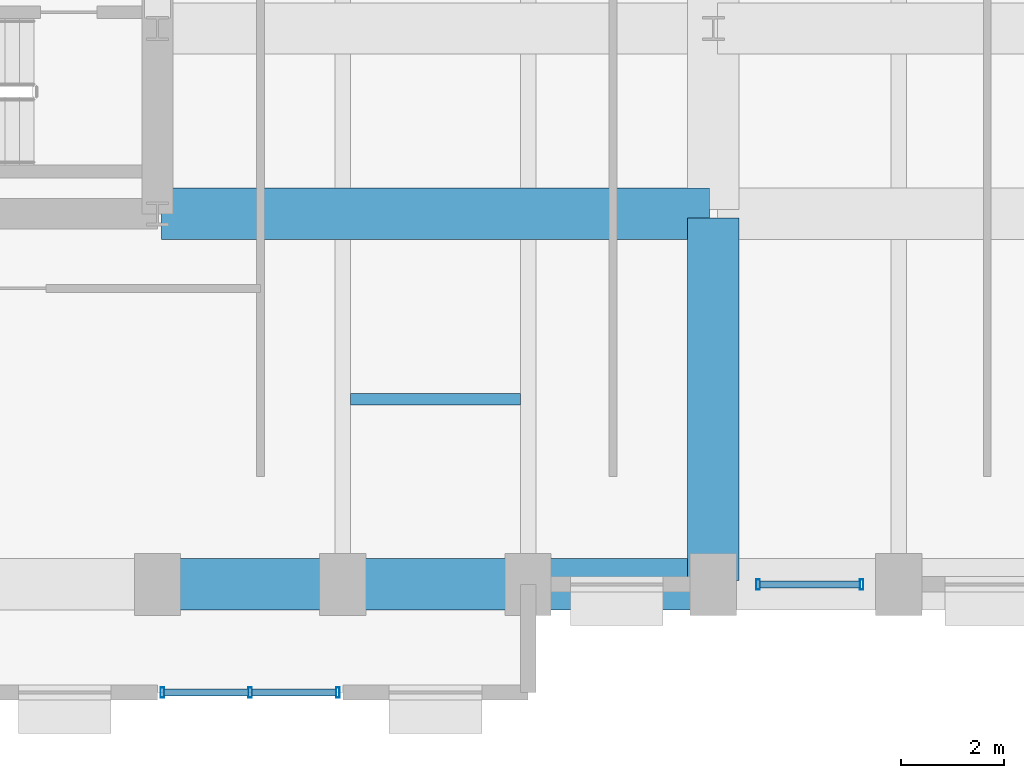
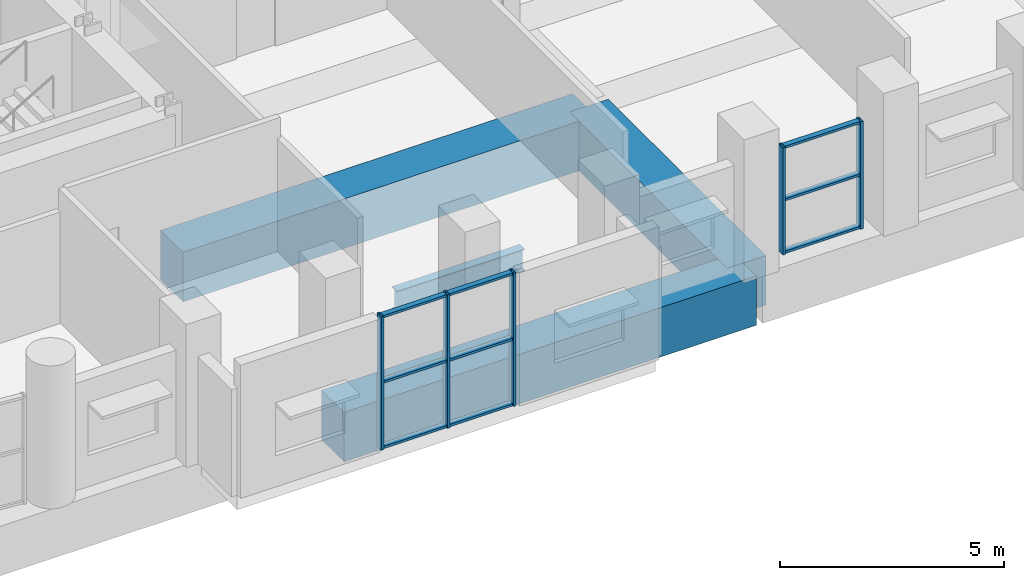
# One storey, part 11 of 39: 14 members, 4 beams, 2 elements without a shape of their own.
"""IFC4 building model written with IfcOpenShell, lengths in metres."""

from ifc_helpers import new_model, si_unit, direction, frame, origin, origin_2d, place, context, subcontext, project, spatial, rectangle, hollow_rectangle, i_section, extrude, material, layer, layer_set, material_profile, profile_set, type_object, element, aggregate, save


model = new_model("IFC4")

# Units and contexts
model_context = context("Model", 3, precision=1e-05, world=origin(), true_north=direction((0.0, 1.0)))
body_context = subcontext(model_context, "Body", "Model", "MODEL_VIEW")
ifc_project = project(units=[si_unit("LENGTHUNIT", "METRE"), si_unit("AREAUNIT", "SQUARE_METRE"), si_unit("VOLUMEUNIT", "CUBIC_METRE"), si_unit("PLANEANGLEUNIT", "RADIAN"), si_unit("MASSUNIT", "GRAM", prefix="KILO")], contexts=[model_context])

# Site, building, storey
site_placement = place(None, origin())
site = spatial("IfcSite", under=ifc_project, at=site_placement, CompositionType="ELEMENT")
building_placement = place(site_placement, origin())
building = spatial("IfcBuilding", under=site, at=building_placement, Name="Solnavia Interchange Tower", CompositionType="ELEMENT")
storey_placement = place(building_placement, frame((0.0, 0.0, 24.0)))
storey = spatial("IfcBuildingStorey", under=building, at=storey_placement, Name="L05", CompositionType="ELEMENT", Elevation=24.0)

# Beams
ifc_material_1 = material(Name="Steel S355", Category="steel")
ifc_material_profile_1 = material_profile(ifc_material_1, i_section(OverallWidth=0.219970703125, OverallDepth=0.60009765625, WebThickness=0.011962890625, FlangeThickness=0.01904296875, FilletRadius=0.02392578125, at=origin_2d()), Name="IPE 600")
ifc_profile_set_1 = profile_set([ifc_material_profile_1], Name="Steel S355")
beam_type_1 = type_object("IfcBeamType", Name="Beam-Joist-IPE600", PredefinedType="JOIST", material=ifc_profile_set_1)
beam_1_placement = place(storey_placement, frame((36.14990234375, 7.199951171875, -0.699951171875), z_axis=(1.0, 0.0, 0.0), x_axis=(0.0, 1.0, 0.0)))
element("IfcBeam", 1, at=beam_1_placement, inside=storey, type_object=beam_type_1, Name="JST-L05-E01 East wing secondary joist", PredefinedType="JOIST", context=body_context, shape_type="SweptSolid", body=[
    extrude(i_section(OverallWidth=0.219970703125, OverallDepth=0.60009765625, WebThickness=0.011962890625, FlangeThickness=0.01904296875, FilletRadius=0.02392578125, at=origin_2d()), origin(), (0.0, 0.0, 1.0), 3.300048828125),
])
ifc_material_2 = material(Name="Concrete C60/75", Category="concrete")
ifc_material_profile_2 = material_profile(ifc_material_2, rectangle(XDim=1.0, YDim=1.35009765625, at=origin_2d()), Name="RC 1000x1350")
ifc_profile_set_2 = profile_set([ifc_material_profile_2], Name="Concrete C60/75")
beam_type_2 = type_object("IfcBeamType", Name="Beam-Transfer-RC1000x1350", PredefinedType="BEAM", material=ifc_profile_set_2)
for number, where, z_axis, x_axis, name in (
    (2, (32.47998046875, 3.60009765625, -0.675048828125), (1.0, 0.0, 0.0), (0.0, 1.0, 0.0), "TRB-L05-04 South primary transfer girder"),
    (3, (32.47998046875, 10.800048828125, -0.675048828125), (1.0, 0.0, 0.0), (0.0, 1.0, 0.0), "TRB-L05-09 East-south primary transfer girder"),
):
    element("IfcBeam", number, at=place(storey_placement, frame(where, z_axis=z_axis, x_axis=x_axis)), inside=storey, type_object=beam_type_2, Name=name, PredefinedType="BEAM", context=body_context, shape_type="SweptSolid", body=[
        extrude(rectangle(XDim=1.0, YDim=1.35009765625, at=origin_2d()), origin(), (0.0, 0.0, 1.0), 10.64013671875),
    ])
beam_2_placement = place(storey_placement, frame((43.199951171875, 3.679931640625, -0.675048828125), z_axis=(0.0, 1.0, 0.0), x_axis=(-1.0, 0.0, 0.0)))
element("IfcBeam", 4, at=beam_2_placement, inside=storey, type_object=beam_type_2, Name="TRB-L05-46 East N-S primary transfer girder", PredefinedType="BEAM", context=body_context, shape_type="SweptSolid", body=[
    extrude(rectangle(XDim=1.0, YDim=1.35009765625, at=origin_2d()), origin(), (0.0, 0.0, 1.0), 7.0400390625),
])

# Curtain wall, members
ifc_material_3 = material(Name="Aluminium Alloy 6063-T6", Category="aluminium")
ifc_layer = layer(ifc_material_3, 0.219970703125)
ifc_layer_set = layer_set([ifc_layer], Name="Aluminium Alloy 6063-T6")
curtain_wall_type = type_object("IfcCurtainWallType", Name="CurtainWall-Tower-CTW3", PredefinedType="NOTDEFINED", material=ifc_layer_set)
curtain_wall_1_placement = place(storey_placement, origin())
curtain_wall_1 = element("IfcCurtainWall", 5, at=curtain_wall_1_placement, inside=storey, type_object=curtain_wall_type, Name="CTW-L05-S04 CTW-3 curtain wall", PredefinedType="NOTDEFINED")
ifc_material_profile_3 = material_profile(ifc_material_3, hollow_rectangle(XDim=0.070068359375, YDim=0.199951171875, WallThickness=0.0048828125, at=origin_2d()), Name="ALU 200x70x5")
ifc_profile_set_3 = profile_set([ifc_material_profile_3], Name="Aluminium Alloy 6063-T6")
member_type_1 = type_object("IfcMemberType", Name="CW-Mullion-CWM-3", PredefinedType="MULLION", material=ifc_profile_set_3)
member_1_placement = place(storey_placement, frame((32.4951171875, 1.5, 0.0), z_axis=(0.0, 0.0, 1.0), x_axis=(1.0, 0.0, 0.0)))
member_1 = element("IfcMember", 6, at=member_1_placement, type_object=member_type_1, Name="CTW-3 mullion 1", PredefinedType="MULLION", context=body_context, shape_type="SweptSolid", body=[
    extrude(hollow_rectangle(XDim=0.070068359375, YDim=0.199951171875, WallThickness=0.0048828125, at=origin_2d()), origin(), (0.0, 0.0, 1.0), 3.635009765625),
])
member_2_placement = place(storey_placement, frame((34.199951171875, 1.5, 0.0), z_axis=(0.0, 0.0, 1.0), x_axis=(1.0, 0.0, 0.0)))
member_2 = element("IfcMember", 7, at=member_2_placement, type_object=member_type_1, Name="CTW-3 mullion 2", PredefinedType="MULLION", context=body_context, shape_type="SweptSolid", body=[
    extrude(hollow_rectangle(XDim=0.070068359375, YDim=0.199951171875, WallThickness=0.0048828125, at=origin_2d()), origin(), (0.0, 0.0, 1.0), 3.635009765625),
])
member_3_placement = place(storey_placement, frame((35.905029296875, 1.5, 0.0), z_axis=(0.0, 0.0, 1.0), x_axis=(1.0, 0.0, 0.0)))
member_3 = element("IfcMember", 8, at=member_3_placement, type_object=member_type_1, Name="CTW-3 mullion 3", PredefinedType="MULLION", context=body_context, shape_type="SweptSolid", body=[
    extrude(hollow_rectangle(XDim=0.070068359375, YDim=0.199951171875, WallThickness=0.0048828125, at=origin_2d()), origin(), (0.0, 0.0, 1.0), 3.635009765625),
])

curtain_wall_2_placement = place(storey_placement, origin())
curtain_wall_2 = element("IfcCurtainWall", 9, at=curtain_wall_2_placement, inside=storey, type_object=curtain_wall_type, Name="CTW-L05-S08 CTW-3 curtain wall", PredefinedType="NOTDEFINED")
member_4_placement = place(storey_placement, frame((44.070068359375, 3.60009765625, 0.0), z_axis=(0.0, 0.0, 1.0), x_axis=(1.0, 0.0, 0.0)))
member_4 = element("IfcMember", 10, at=member_4_placement, type_object=member_type_1, Name="CTW-3 mullion 1", PredefinedType="MULLION", context=body_context, shape_type="SweptSolid", body=[
    extrude(hollow_rectangle(XDim=0.070068359375, YDim=0.199951171875, WallThickness=0.0048828125, at=origin_2d()), origin(), (0.0, 0.0, 1.0), 2.929931640625),
])
member_5_placement = place(storey_placement, frame((46.080078125, 3.60009765625, 0.0), z_axis=(0.0, 0.0, 1.0), x_axis=(1.0, 0.0, 0.0)))
member_5 = element("IfcMember", 11, at=member_5_placement, type_object=member_type_1, Name="CTW-3 mullion 2", PredefinedType="MULLION", context=body_context, shape_type="SweptSolid", body=[
    extrude(hollow_rectangle(XDim=0.070068359375, YDim=0.199951171875, WallThickness=0.0048828125, at=origin_2d()), origin(), (0.0, 0.0, 1.0), 2.929931640625),
])

# Member
ifc_material_profile_4 = material_profile(ifc_material_3, hollow_rectangle(XDim=0.06494140625, YDim=0.139892578125, WallThickness=0.00390625, at=origin_2d()), Name="ALU 140x65x4")
ifc_profile_set_4 = profile_set([ifc_material_profile_4], Name="Aluminium Alloy 6063-T6")
member_type_2 = type_object("IfcMemberType", Name="CW-Transom-CWT-3", PredefinedType="USERDEFINED", material=ifc_profile_set_4)
member_6_placement = place(storey_placement, frame((32.530029296875, 1.5, 0.032470703125), z_axis=(1.0, 0.0, 0.0), x_axis=(0.0, 0.0, 1.0)))
member_6 = element("IfcMember", 12, at=member_6_placement, type_object=member_type_2, Name="CTW-3 transom 1.1", ObjectType="TRANSOM", PredefinedType="USERDEFINED", context=body_context, shape_type="SweptSolid", body=[
    extrude(hollow_rectangle(XDim=0.06494140625, YDim=0.139892578125, WallThickness=0.00390625, at=origin_2d()), origin(), (0.0, 0.0, 1.0), 1.635009765625),
])

member_7_placement = place(storey_placement, frame((32.530029296875, 1.5, 1.818115234375), z_axis=(1.0, 0.0, 0.0), x_axis=(0.0, 0.0, 1.0)))
member_7 = element("IfcMember", 13, at=member_7_placement, type_object=member_type_2, Name="CTW-3 transom 1.2", ObjectType="TRANSOM", PredefinedType="USERDEFINED", context=body_context, shape_type="SweptSolid", body=[
    extrude(hollow_rectangle(XDim=0.06494140625, YDim=0.139892578125, WallThickness=0.00390625, at=origin_2d()), origin(), (0.0, 0.0, 1.0), 1.635009765625),
])

member_8_placement = place(storey_placement, frame((32.530029296875, 1.5, 3.6025390625), z_axis=(1.0, 0.0, 0.0), x_axis=(0.0, 0.0, 1.0)))
member_8 = element("IfcMember", 14, at=member_8_placement, type_object=member_type_2, Name="CTW-3 transom 1.3", ObjectType="TRANSOM", PredefinedType="USERDEFINED", context=body_context, shape_type="SweptSolid", body=[
    extrude(hollow_rectangle(XDim=0.06494140625, YDim=0.139892578125, WallThickness=0.00390625, at=origin_2d()), origin(), (0.0, 0.0, 1.0), 1.635009765625),
])

member_9_placement = place(storey_placement, frame((34.235107421875, 1.5, 0.032470703125), z_axis=(1.0, 0.0, 0.0), x_axis=(0.0, 0.0, 1.0)))
member_9 = element("IfcMember", 15, at=member_9_placement, type_object=member_type_2, Name="CTW-3 transom 2.1", ObjectType="TRANSOM", PredefinedType="USERDEFINED", context=body_context, shape_type="SweptSolid", body=[
    extrude(hollow_rectangle(XDim=0.06494140625, YDim=0.139892578125, WallThickness=0.00390625, at=origin_2d()), origin(), (0.0, 0.0, 1.0), 1.635009765625),
])

member_10_placement = place(storey_placement, frame((34.235107421875, 1.5, 1.818115234375), z_axis=(1.0, 0.0, 0.0), x_axis=(0.0, 0.0, 1.0)))
member_10 = element("IfcMember", 16, at=member_10_placement, type_object=member_type_2, Name="CTW-3 transom 2.2", ObjectType="TRANSOM", PredefinedType="USERDEFINED", context=body_context, shape_type="SweptSolid", body=[
    extrude(hollow_rectangle(XDim=0.06494140625, YDim=0.139892578125, WallThickness=0.00390625, at=origin_2d()), origin(), (0.0, 0.0, 1.0), 1.635009765625),
])

member_11_placement = place(storey_placement, frame((34.235107421875, 1.5, 3.6025390625), z_axis=(1.0, 0.0, 0.0), x_axis=(0.0, 0.0, 1.0)))
member_11 = element("IfcMember", 17, at=member_11_placement, type_object=member_type_2, Name="CTW-3 transom 2.3", ObjectType="TRANSOM", PredefinedType="USERDEFINED", context=body_context, shape_type="SweptSolid", body=[
    extrude(hollow_rectangle(XDim=0.06494140625, YDim=0.139892578125, WallThickness=0.00390625, at=origin_2d()), origin(), (0.0, 0.0, 1.0), 1.635009765625),
])

aggregate(curtain_wall_1, [member_1, member_2, member_3, member_6, member_7, member_8, member_9, member_10, member_11])

member_12_placement = place(storey_placement, frame((44.10498046875, 3.60009765625, 0.032470703125), z_axis=(1.0, 0.0, 0.0), x_axis=(0.0, 0.0, 1.0)))
member_12 = element("IfcMember", 18, at=member_12_placement, type_object=member_type_2, Name="CTW-3 transom 1.1", ObjectType="TRANSOM", PredefinedType="USERDEFINED", context=body_context, shape_type="SweptSolid", body=[
    extrude(hollow_rectangle(XDim=0.06494140625, YDim=0.139892578125, WallThickness=0.00390625, at=origin_2d()), origin(), (0.0, 0.0, 1.0), 1.93994140625),
])

member_13_placement = place(storey_placement, frame((44.10498046875, 3.60009765625, 1.465087890625), z_axis=(1.0, 0.0, 0.0), x_axis=(0.0, 0.0, 1.0)))
member_13 = element("IfcMember", 19, at=member_13_placement, type_object=member_type_2, Name="CTW-3 transom 1.2", ObjectType="TRANSOM", PredefinedType="USERDEFINED", context=body_context, shape_type="SweptSolid", body=[
    extrude(hollow_rectangle(XDim=0.06494140625, YDim=0.139892578125, WallThickness=0.00390625, at=origin_2d()), origin(), (0.0, 0.0, 1.0), 1.93994140625),
])

member_14_placement = place(storey_placement, frame((44.10498046875, 3.60009765625, 2.8974609375), z_axis=(1.0, 0.0, 0.0), x_axis=(0.0, 0.0, 1.0)))
member_14 = element("IfcMember", 20, at=member_14_placement, type_object=member_type_2, Name="CTW-3 transom 1.3", ObjectType="TRANSOM", PredefinedType="USERDEFINED", context=body_context, shape_type="SweptSolid", body=[
    extrude(hollow_rectangle(XDim=0.06494140625, YDim=0.139892578125, WallThickness=0.00390625, at=origin_2d()), origin(), (0.0, 0.0, 1.0), 1.93994140625),
])

aggregate(curtain_wall_2, [member_4, member_5, member_12, member_13, member_14])

save(model, "model.ifc")
